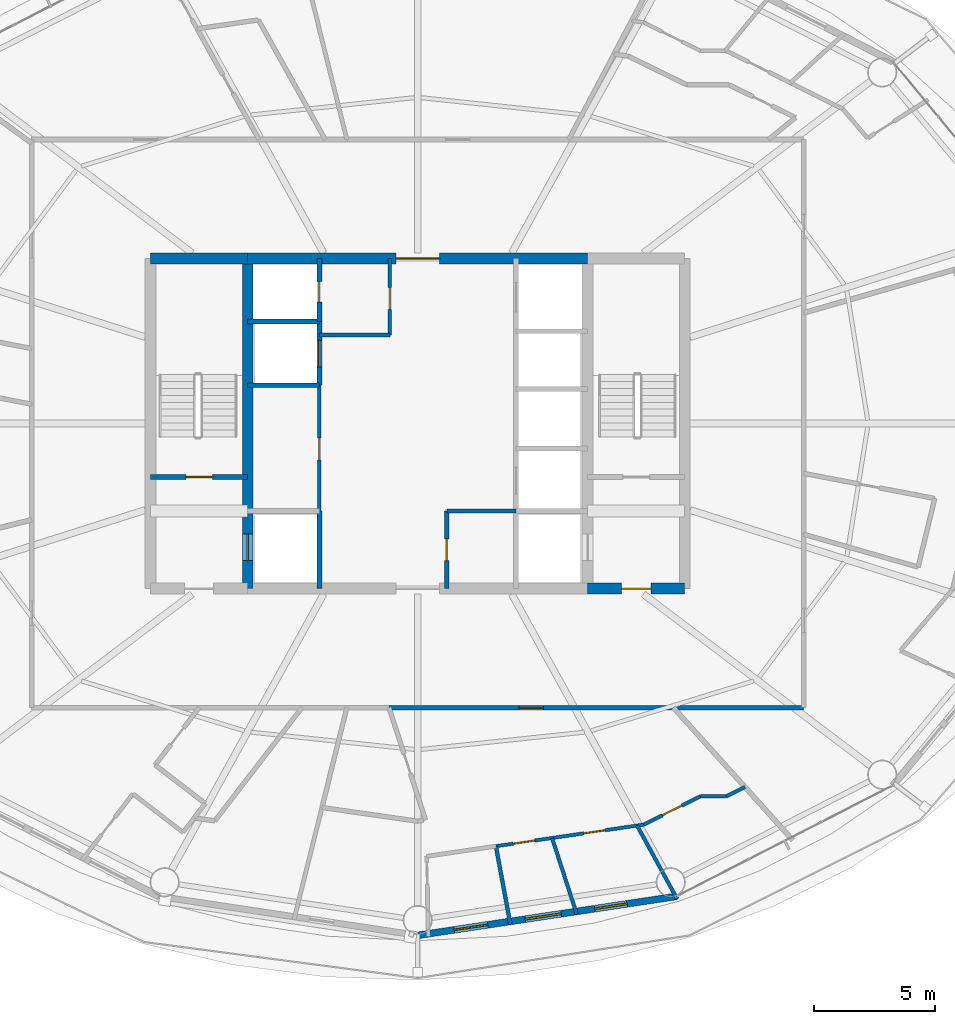
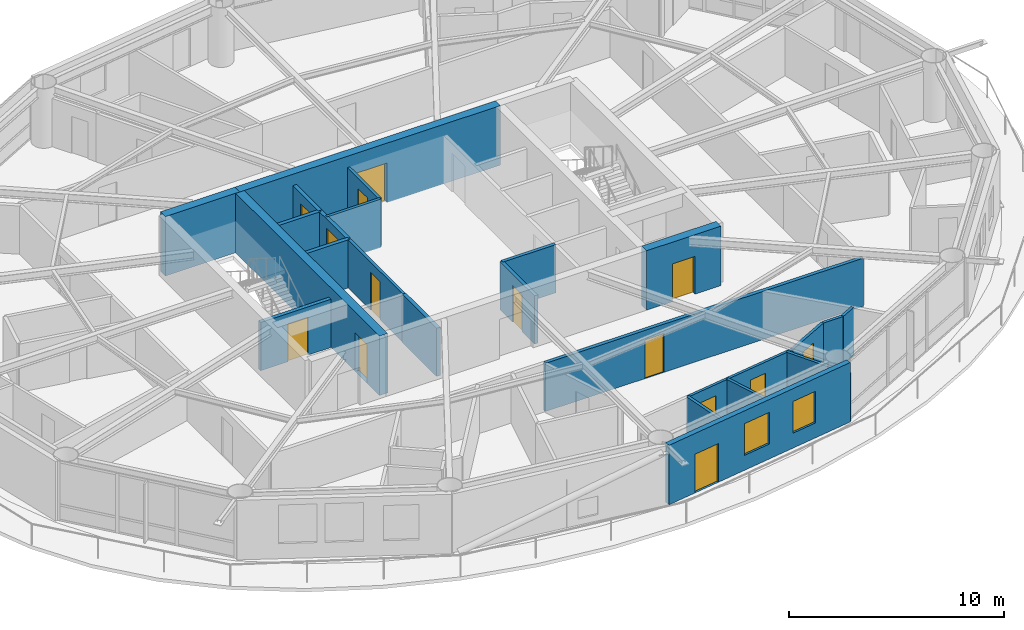
# One storey, part 22 of 28: 24 walls, 14 doors, 2 windows, 16 openings.
"""IFC4 building model written with IfcOpenShell, lengths in metres."""

from ifc_helpers import new_model, si_unit, direction, frame, frame_2d, origin, place, context, subcontext, project, spatial, rectangle, extrude, material, layer, layer_set, type_object, element, fill, save


model = new_model("IFC4")

# Units and contexts
model_context = context("Model", 3, precision=1e-05, world=origin(), true_north=direction((0.0, 1.0)))
body_context = subcontext(model_context, "Body", "Model", "MODEL_VIEW")
ifc_project = project(units=[si_unit("LENGTHUNIT", "METRE"), si_unit("AREAUNIT", "SQUARE_METRE"), si_unit("VOLUMEUNIT", "CUBIC_METRE"), si_unit("PLANEANGLEUNIT", "RADIAN"), si_unit("MASSUNIT", "GRAM", prefix="KILO")], contexts=[model_context])

# Site, building, storey
site_placement = place(None, origin())
site = spatial("IfcSite", under=ifc_project, at=site_placement, CompositionType="ELEMENT")
building_placement = place(site_placement, origin())
building = spatial("IfcBuilding", under=site, at=building_placement, Name="Sarneth Arch Tower", CompositionType="ELEMENT")
storey_placement = place(building_placement, frame((0.0, 0.0, 183.0)))
storey = spatial("IfcBuildingStorey", under=building, at=storey_placement, Name="L46", CompositionType="ELEMENT", Elevation=183.0)

# Wall, opening, door
ifc_material_1 = material(Name="Concrete C50/60", Category="concrete")
ifc_layer_1 = layer(ifc_material_1, 0.449951171875)
ifc_layer_set_1 = layer_set([ifc_layer_1], Name="Concrete C50/60")
wall_type_1 = type_object("IfcWallType", Name="WALL-CORE-450", PredefinedType="SHEAR", material=ifc_layer_set_1)
wall_1_placement = place(storey_placement, frame((55.0, 35.199951171875, 0.0), z_axis=(0.0, 0.0, 1.0), x_axis=(1.0, 0.0, 0.0)))
wall_1 = element("IfcWall", 1, at=wall_1_placement, inside=storey, type_object=wall_type_1, Name="L46 Core shear wall S-E", PredefinedType="SHEAR", context=body_context, shape_type="SweptSolid", body=[
    extrude(rectangle(XDim=4.0, YDim=0.449951171875, at=frame_2d((2.0, 0.0))), origin(), (0.0, 0.0, 1.0), 3.3798828125),
])
opening_1_placement = place(wall_1_placement, frame((1.39990234375, 0.0, 0.0)))
opening_1 = element("IfcOpeningElement", 2, at=opening_1_placement, cuts=wall_1, Name="Opening FD-02", PredefinedType="OPENING", context=body_context, shape_type="SweptSolid", body=[
    extrude(rectangle(XDim=1.199951171875, YDim=2.14990234375, at=frame_2d((0.60009765625, 1.074951171875))), frame((0.0, 0.23486328125, 0.0), z_axis=(0.0, -1.0, 0.0), x_axis=(1.0, 0.0, 0.0)), (0.0, 0.0, 1.0), 0.469970703125),
])
ifc_material_2 = material(Name="Galvanised Steel S275 fire door set", Category="steel")
door_type_1 = type_object("IfcDoorType", Name="DR-FD90-1200", OperationType="SINGLE_SWING_LEFT", PredefinedType="DOOR", material=ifc_material_2)
door_1_placement = place(opening_1_placement, origin())
door_1 = element("IfcDoor", 3, at=door_1_placement, inside=storey, type_object=door_type_1, Name="L46 Firefighting lobby 2 exit door", OperationType="SINGLE_SWING_RIGHT", OverallHeight=2.14990234375, OverallWidth=1.199951171875, PredefinedType="DOOR", context=body_context, shape_type="SweptSolid", body=[
    extrude(rectangle(XDim=1.199951171875, YDim=2.14990234375, at=frame_2d((0.60009765625, 1.074951171875))), frame((0.0, 0.02490234375, 0.0), z_axis=(0.0, -1.0, 0.0), x_axis=(1.0, 0.0, 0.0)), (0.0, 0.0, 1.0), 0.050048828125),
])
fill(opening_1, door_1)

# Wall
wall_2_placement = place(storey_placement, frame((37.0, 48.800048828125, 0.0), z_axis=(0.0, 0.0, 1.0), x_axis=(1.0, 0.0, 0.0)))
element("IfcWall", 4, at=wall_2_placement, inside=storey, type_object=wall_type_1, Name="L46 Core shear wall N-W", PredefinedType="SHEAR", context=body_context, shape_type="SweptSolid", body=[
    extrude(rectangle(XDim=4.0, YDim=0.449951171875, at=frame_2d((2.0, 0.0))), origin(), (0.0, 0.0, 1.0), 3.3798828125),
])

# Wall, opening, door
wall_3_placement = place(storey_placement, frame((41.0, 48.800048828125, 0.0), z_axis=(0.0, 0.0, 1.0), x_axis=(1.0, 0.0, 0.0)))
wall_3 = element("IfcWall", 5, at=wall_3_placement, inside=storey, type_object=wall_type_1, Name="L46 Core shear wall N-M", PredefinedType="SHEAR", context=body_context, shape_type="SweptSolid", body=[
    extrude(rectangle(XDim=14.0, YDim=0.449951171875, at=frame_2d((7.0, 0.0))), origin(), (0.0, 0.0, 1.0), 3.3798828125),
])
opening_2_placement = place(wall_3_placement, frame((6.10009765625, 0.0, 0.0)))
opening_2 = element("IfcOpeningElement", 6, at=opening_2_placement, cuts=wall_3, Name="Opening FD-01", PredefinedType="OPENING", context=body_context, shape_type="SweptSolid", body=[
    extrude(rectangle(XDim=1.800048828125, YDim=2.25, at=frame_2d((0.89990234375, 1.125))), frame((0.0, 0.23486328125, 0.0), z_axis=(0.0, -1.0, 0.0), x_axis=(1.0, 0.0, 0.0)), (0.0, 0.0, 1.0), 0.469970703125),
])
ifc_material_3 = material(Name="Galvanised Steel S275 fire door set", Category="steel")
door_type_2 = type_object("IfcDoorType", Name="DR-FD90-1800", OperationType="DOUBLE_DOOR_SINGLE_SWING", PredefinedType="DOOR", material=ifc_material_3)
door_2_placement = place(opening_2_placement, origin())
door_2 = element("IfcDoor", 7, at=door_2_placement, inside=storey, type_object=door_type_2, Name="L46 Central lift lobby north door", OperationType="DOUBLE_DOOR_SINGLE_SWING", OverallHeight=2.25, OverallWidth=1.800048828125, PredefinedType="DOOR", context=body_context, shape_type="SweptSolid", body=[
    extrude(rectangle(XDim=1.800048828125, YDim=2.25, at=frame_2d((0.89990234375, 1.125))), frame((0.0, 0.02490234375, 0.0), z_axis=(0.0, -1.0, 0.0), x_axis=(1.0, 0.0, 0.0)), (0.0, 0.0, 1.0), 0.050048828125),
])
fill(opening_2, door_2)

wall_4_placement = place(storey_placement, frame((41.0, 35.199951171875, 0.0), z_axis=(0.0, 0.0, 1.0), x_axis=(0.0, 1.0, 0.0)))
wall_4 = element("IfcWall", 8, at=wall_4_placement, inside=storey, type_object=wall_type_1, Name="L46 Core shear wall WEB-W", PredefinedType="SHEAR", context=body_context, shape_type="SweptSolid", body=[
    extrude(rectangle(XDim=13.60009765625, YDim=0.449951171875, at=frame_2d((6.800048828125, 0.0))), origin(), (0.0, 0.0, 1.0), 3.3798828125),
])
opening_3_placement = place(wall_4_placement, frame((1.14990234375, 0.0, 0.0)))
opening_3 = element("IfcOpeningElement", 9, at=opening_3_placement, cuts=wall_4, Name="Opening LD-1", PredefinedType="OPENING", context=body_context, shape_type="SweptSolid", body=[
    extrude(rectangle(XDim=1.10009765625, YDim=2.199951171875, at=frame_2d((0.550048828125, 1.10009765625))), frame((0.0, 0.23486328125, 0.0), z_axis=(0.0, -1.0, 0.0), x_axis=(1.0, 0.0, 0.0)), (0.0, 0.0, 1.0), 0.469970703125),
])
ifc_material_4 = material(Name="Brushed Stainless Steel 304 lift landing door", Category="steel")
door_type_3 = type_object("IfcDoorType", Name="DR-LIFT-SLIDE-1100", OperationType="SLIDING_TO_LEFT", PredefinedType="DOOR", material=ifc_material_4)
door_3_placement = place(opening_3_placement, origin())
door_3 = element("IfcDoor", 10, at=door_3_placement, inside=storey, type_object=door_type_3, Name="L46 Firefighting lift landing door FL-1", OperationType="SLIDING_TO_LEFT", OverallHeight=2.199951171875, OverallWidth=1.10009765625, PredefinedType="DOOR", context=body_context, shape_type="SweptSolid", body=[
    extrude(rectangle(XDim=1.10009765625, YDim=2.199951171875, at=frame_2d((0.550048828125, 1.10009765625))), frame((0.0, 0.02490234375, 0.0), z_axis=(0.0, -1.0, 0.0), x_axis=(1.0, 0.0, 0.0)), (0.0, 0.0, 1.0), 0.050048828125),
])
fill(opening_3, door_3)

ifc_material_5 = material(Name="Double steel-stud corridor fire wall", Category="steel")
ifc_layer_2 = layer(ifc_material_5, 0.18994140625)
ifc_layer_set_2 = layer_set([ifc_layer_2], Name="Double steel-stud corridor fire wall")
wall_type_2 = type_object("IfcWallType", Name="WALL-CORR-190", PredefinedType="PARTITIONING", material=ifc_layer_set_2)
wall_5_placement = place(storey_placement, frame((46.817626953125, 30.300048828125, 0.0), z_axis=(0.0, 0.0, 1.0), x_axis=(1.0, 0.0, 0.0)))
wall_5 = element("IfcWall", 11, at=wall_5_placement, inside=storey, type_object=wall_type_2, Name="L46 Interior partition W-L46-TP-016", PredefinedType="PARTITIONING", context=body_context, shape_type="SweptSolid", body=[
    extrude(rectangle(XDim=17.082275390625, YDim=0.18994140625, at=frame_2d((8.541015625, 0.0))), origin(), (0.0, 0.0, 1.0), 2.739990234375),
])
opening_4_placement = place(wall_5_placement, frame((5.3583984375, 0.0, 0.0)))
opening_4 = element("IfcOpeningElement", 12, at=opening_4_placement, cuts=wall_5, Name="Opening FD-08", PredefinedType="OPENING", context=body_context, shape_type="SweptSolid", body=[
    extrude(rectangle(XDim=1.0, YDim=2.199951171875, at=frame_2d((0.5, 1.10009765625))), frame((0.0, 0.10498046875, 0.0), z_axis=(0.0, -1.0, 0.0), x_axis=(1.0, 0.0, 0.0)), (0.0, 0.0, 1.0), 0.2099609375),
])
ifc_material_6 = material(Name="Hardwood timber acoustic fire door", Category="wood")
door_type_4 = type_object("IfcDoorType", Name="DR-FD60-1000", OperationType="SINGLE_SWING_LEFT", PredefinedType="DOOR", material=ifc_material_6)
door_4_placement = place(opening_4_placement, origin())
door_4 = element("IfcDoor", 13, at=door_4_placement, inside=storey, type_object=door_type_4, Name="L46 Interior door DR-L46-U6-ENT", OperationType="SINGLE_SWING_RIGHT", OverallHeight=2.199951171875, OverallWidth=1.0, PredefinedType="DOOR", context=body_context, shape_type="SweptSolid", body=[
    extrude(rectangle(XDim=1.0, YDim=2.199951171875, at=frame_2d((0.5, 1.10009765625))), frame((0.0, 0.02490234375, 0.0), z_axis=(0.0, -1.0, 0.0), x_axis=(1.0, 0.0, 0.0)), (0.0, 0.0, 1.0), 0.050048828125),
])
fill(opening_4, door_4)

# Wall, openings, door, windows
ifc_material_7 = material(Name="Extruded terracotta rainscreen on Concrete C40/50 backing", Category="masonry")
ifc_layer_3 = layer(ifc_material_7, 0.280029296875)
ifc_layer_set_3 = layer_set([ifc_layer_3], Name="Extruded terracotta rainscreen on Concrete C40/50 backing")
wall_type_3 = type_object("IfcWallType", Name="WALL-EXT-TERRA-280", PredefinedType="SOLIDWALL", material=ifc_layer_set_3)
wall_6_placement = place(storey_placement, frame((48.0, 20.919921875, 0.0), z_axis=(0.0, 0.0, 1.0), x_axis=(0.988863993413, 0.148822049884, 0.0)))
wall_6 = element("IfcWall", 14, at=wall_6_placement, inside=storey, type_object=wall_type_3, Name="L46 Terracotta perimeter wall 13", PredefinedType="SOLIDWALL", context=body_context, shape_type="SweptSolid", body=[
    extrude(rectangle(XDim=10.782958984375, YDim=0.280029296875, at=frame_2d((5.3916015625, 0.0))), origin(), (0.0, 0.0, 1.0), 3.3798828125),
])
opening_5_placement = place(wall_6_placement, frame((1.523681640625, 0.0, 0.0)))
opening_5 = element("IfcOpeningElement", 15, at=opening_5_placement, cuts=wall_6, Name="Opening BD-2", PredefinedType="OPENING", context=body_context, shape_type="SweptSolid", body=[
    extrude(rectangle(XDim=1.39990234375, YDim=2.199951171875, at=frame_2d((0.699951171875, 1.10009765625))), frame((0.0, 0.14990234375, 0.0), z_axis=(0.0, -1.0, 0.0), x_axis=(1.0, 0.0, 0.0)), (0.0, 0.0, 1.0), 0.300048828125),
])
opening_6_placement = place(wall_6_placement, frame((4.476806640625, 0.0, 0.85009765625)))
opening_6 = element("IfcOpeningElement", 16, at=opening_6_placement, cuts=wall_6, Name="Opening W-07", PredefinedType="OPENING", context=body_context, shape_type="SweptSolid", body=[
    extrude(rectangle(XDim=1.5, YDim=1.800048828125, at=frame_2d((0.75, 0.89990234375))), frame((0.0, 0.14990234375, 0.0), z_axis=(0.0, -1.0, 0.0), x_axis=(1.0, 0.0, 0.0)), (0.0, 0.0, 1.0), 0.300048828125),
])
opening_7_placement = place(wall_6_placement, frame((7.37109375, 0.0, 0.85009765625)))
opening_7 = element("IfcOpeningElement", 17, at=opening_7_placement, cuts=wall_6, Name="Opening W-08", PredefinedType="OPENING", context=body_context, shape_type="SweptSolid", body=[
    extrude(rectangle(XDim=1.35009765625, YDim=1.800048828125, at=frame_2d((0.675048828125, 0.89990234375))), frame((0.0, 0.14990234375, 0.0), z_axis=(0.0, -1.0, 0.0), x_axis=(1.0, 0.0, 0.0)), (0.0, 0.0, 1.0), 0.300048828125),
])
ifc_material_8 = material(Name="Thermally broken Aluminium 6063-T6 and laminated safety glass", Category="aluminium")
door_type_5 = type_object("IfcDoorType", Name="DR-BALC-GLZ-1400", OperationType="SINGLE_SWING_LEFT", PredefinedType="DOOR", material=ifc_material_8)
door_5_placement = place(opening_5_placement, origin())
door_5 = element("IfcDoor", 18, at=door_5_placement, inside=storey, type_object=door_type_5, Name="L46 Balcony glazed door 13", OperationType="SINGLE_SWING_LEFT", OverallHeight=2.199951171875, OverallWidth=1.39990234375, PredefinedType="DOOR", context=body_context, shape_type="SweptSolid", body=[
    extrude(rectangle(XDim=1.39990234375, YDim=2.199951171875, at=frame_2d((0.699951171875, 1.10009765625))), frame((0.0, 0.02490234375, 0.0), z_axis=(0.0, -1.0, 0.0), x_axis=(1.0, 0.0, 0.0)), (0.0, 0.0, 1.0), 0.050048828125),
])
fill(opening_5, door_5)
ifc_material_9 = material(Name="Thermally broken Aluminium 6063-T6 and low-e laminated IGU", Category="aluminium")
window_type_1 = type_object("IfcWindowType", Name="WIN-TWR-1350x1800", PartitioningType="SINGLE_PANEL", PredefinedType="WINDOW", material=ifc_material_9)
window_1_placement = place(opening_7_placement, origin())
window_1 = element("IfcWindow", 19, at=window_1_placement, inside=storey, type_object=window_type_1, Name="L46 Exterior window 13B", OverallHeight=1.800048828125, OverallWidth=1.35009765625, PartitioningType="SINGLE_PANEL", PredefinedType="WINDOW", context=body_context, shape_type="SweptSolid", body=[
    extrude(rectangle(XDim=1.35009765625, YDim=1.800048828125, at=frame_2d((0.675048828125, 0.89990234375))), frame((0.0, 0.030029296875, 0.0), z_axis=(0.0, -1.0, 0.0), x_axis=(1.0, 0.0, 0.0)), (0.0, 0.0, 1.0), 0.06005859375),
])
fill(opening_7, window_1)
ifc_material_10 = material(Name="Thermally broken Aluminium 6063-T6 and low-e laminated IGU", Category="aluminium")
window_type_2 = type_object("IfcWindowType", Name="WIN-TWR-1500x1800", PartitioningType="SINGLE_PANEL", PredefinedType="WINDOW", material=ifc_material_10)
window_2_placement = place(opening_6_placement, origin())
window_2 = element("IfcWindow", 20, at=window_2_placement, inside=storey, type_object=window_type_2, Name="L46 Exterior window 13A", OverallHeight=1.800048828125, OverallWidth=1.5, PartitioningType="SINGLE_PANEL", PredefinedType="WINDOW", context=body_context, shape_type="SweptSolid", body=[
    extrude(rectangle(XDim=1.5, YDim=1.800048828125, at=frame_2d((0.75, 0.89990234375))), frame((0.0, 0.030029296875, 0.0), z_axis=(0.0, -1.0, 0.0), x_axis=(1.0, 0.0, 0.0)), (0.0, 0.0, 1.0), 0.06005859375),
])
fill(opening_6, window_2)

# Wall, openings, doors
ifc_material_11 = material(Name="Apartment internal stud partition", Category="gypsum")
ifc_layer_4 = layer(ifc_material_11, 0.139892578125)
ifc_layer_set_4 = layer_set([ifc_layer_4], Name="Apartment internal stud partition")
wall_type_4 = type_object("IfcWallType", Name="WALL-PART-140", PredefinedType="PARTITIONING", material=ifc_layer_set_4)
wall_7_placement = place(storey_placement, frame((57.30517578125, 25.48095703125, 0.0), z_axis=(0.0, 0.0, 1.0), x_axis=(-0.989473827462, -0.1447119372, 0.0)))
wall_7 = element("IfcWall", 21, at=wall_7_placement, inside=storey, type_object=wall_type_4, Name="L46 Interior partition W-L46-TP-078", PredefinedType="PARTITIONING", context=body_context, shape_type="SweptSolid", body=[
    extrude(rectangle(XDim=6.147705078125, YDim=0.139892578125, at=frame_2d((3.07373046875, 0.0))), origin(), (0.0, 0.0, 1.0), 2.739990234375),
])
opening_8_placement = place(wall_7_placement, frame((1.589599609375, 0.0, 0.0)))
opening_8 = element("IfcOpeningElement", 22, at=opening_8_placement, cuts=wall_7, Name="Opening ID-01", PredefinedType="OPENING", context=body_context, shape_type="SweptSolid", body=[
    extrude(rectangle(XDim=0.89990234375, YDim=2.10009765625, at=frame_2d((0.449951171875, 1.050048828125))), frame((0.0, 0.079833984375, 0.0), z_axis=(0.0, -1.0, 0.0), x_axis=(1.0, 0.0, 0.0)), (0.0, 0.0, 1.0), 0.159912109375),
])
opening_9_placement = place(wall_7_placement, frame((4.528564453125, 0.0, 0.0)))
opening_9 = element("IfcOpeningElement", 23, at=opening_9_placement, cuts=wall_7, Name="Opening ID-01", PredefinedType="OPENING", context=body_context, shape_type="SweptSolid", body=[
    extrude(rectangle(XDim=0.89990234375, YDim=2.10009765625, at=frame_2d((0.449951171875, 1.050048828125))), frame((0.0, 0.079833984375, 0.0), z_axis=(0.0, -1.0, 0.0), x_axis=(1.0, 0.0, 0.0)), (0.0, 0.0, 1.0), 0.159912109375),
])
ifc_material_12 = material(Name="Engineered hardwood flush door", Category="wood")
door_type_6 = type_object("IfcDoorType", Name="DR-INT-900", OperationType="SINGLE_SWING_LEFT", PredefinedType="DOOR", material=ifc_material_12)
door_6_placement = place(opening_8_placement, origin())
door_6 = element("IfcDoor", 24, at=door_6_placement, inside=storey, type_object=door_type_6, Name="L46 Interior door DR-L46-U6-BED2", OperationType="SINGLE_SWING_RIGHT", OverallHeight=2.10009765625, OverallWidth=0.89990234375, PredefinedType="DOOR", context=body_context, shape_type="SweptSolid", body=[
    extrude(rectangle(XDim=0.89990234375, YDim=2.10009765625, at=frame_2d((0.449951171875, 1.050048828125))), frame((0.0, 0.02490234375, 0.0), z_axis=(0.0, -1.0, 0.0), x_axis=(1.0, 0.0, 0.0)), (0.0, 0.0, 1.0), 0.050048828125),
])
fill(opening_8, door_6)
door_7_placement = place(opening_9_placement, origin())
door_7 = element("IfcDoor", 25, at=door_7_placement, inside=storey, type_object=door_type_6, Name="L46 Interior door DR-L46-U6-BED1", OperationType="SINGLE_SWING_LEFT", OverallHeight=2.10009765625, OverallWidth=0.89990234375, PredefinedType="DOOR", context=body_context, shape_type="SweptSolid", body=[
    extrude(rectangle(XDim=0.89990234375, YDim=2.10009765625, at=frame_2d((0.449951171875, 1.050048828125))), frame((0.0, 0.02490234375, 0.0), z_axis=(0.0, -1.0, 0.0), x_axis=(1.0, 0.0, 0.0)), (0.0, 0.0, 1.0), 0.050048828125),
])
fill(opening_9, door_7)

# Wall, opening, door
ifc_material_13 = material(Name="Acoustic gypsum stud partition", Category="gypsum")
ifc_layer_5 = layer(ifc_material_13, 0.14990234375)
ifc_layer_set_5 = layer_set([ifc_layer_5], Name="Acoustic gypsum stud partition")
wall_type_5 = type_object("IfcWallType", Name="WALL-PART-150", PredefinedType="PARTITIONING", material=ifc_layer_set_5)
wall_8_placement = place(storey_placement, frame((43.949951171875, 38.39990234375, 0.0), z_axis=(0.0, 0.0, 1.0), x_axis=(0.0, 1.0, 0.0)))
wall_8 = element("IfcWall", 26, at=wall_8_placement, inside=storey, type_object=wall_type_5, Name="L46 Interior partition W-L46-RECPL-E", PredefinedType="PARTITIONING", context=body_context, shape_type="SweptSolid", body=[
    extrude(rectangle(XDim=5.18017578125, YDim=0.14990234375, at=frame_2d((2.590087890625, 0.0))), origin(), (0.0, 0.0, 1.0), 2.739990234375),
])
opening_10_placement = place(wall_8_placement, frame((2.10009765625, 0.0, 0.0)))
opening_10 = element("IfcOpeningElement", 27, at=opening_10_placement, cuts=wall_8, Name="Opening FD-10", PredefinedType="OPENING", context=body_context, shape_type="SweptSolid", body=[
    extrude(rectangle(XDim=0.89990234375, YDim=2.14990234375, at=frame_2d((0.449951171875, 1.074951171875))), frame((0.0, 0.0849609375, 0.0), z_axis=(0.0, -1.0, 0.0), x_axis=(1.0, 0.0, 0.0)), (0.0, 0.0, 1.0), 0.169921875),
])
ifc_material_14 = material(Name="Galvanised Steel S275 riser/service fire door", Category="steel")
door_type_7 = type_object("IfcDoorType", Name="DR-FD60-900", OperationType="SINGLE_SWING_LEFT", PredefinedType="DOOR", material=ifc_material_14)
door_8_placement = place(opening_10_placement, origin())
door_8 = element("IfcDoor", 28, at=door_8_placement, inside=storey, type_object=door_type_7, Name="L46 Interior door DR-L46-RECPL1", OperationType="SINGLE_SWING_LEFT", OverallHeight=2.14990234375, OverallWidth=0.89990234375, PredefinedType="DOOR", context=body_context, shape_type="SweptSolid", body=[
    extrude(rectangle(XDim=0.89990234375, YDim=2.14990234375, at=frame_2d((0.449951171875, 1.074951171875))), frame((0.0, 0.02490234375, 0.0), z_axis=(0.0, -1.0, 0.0), x_axis=(1.0, 0.0, 0.0)), (0.0, 0.0, 1.0), 0.050048828125),
])
fill(opening_10, door_8)

# Wall
wall_9_placement = place(storey_placement, frame((43.949951171875, 45.64990234375, 0.0), z_axis=(0.0, 0.0, 1.0), x_axis=(1.0, 0.0, 0.0)))
element("IfcWall", 29, at=wall_9_placement, inside=storey, type_object=wall_type_5, Name="L46 Interior partition W-L46-CSUP1-S", PredefinedType="PARTITIONING", context=body_context, shape_type="SweptSolid", body=[
    extrude(rectangle(XDim=2.900146484375, YDim=0.14990234375, at=frame_2d((1.4501953125, 0.0))), origin(), (0.0, 0.0, 1.0), 2.739990234375),
])

# Wall, opening, door
wall_10_placement = place(storey_placement, frame((46.85009765625, 45.64990234375, 0.0), z_axis=(0.0, 0.0, 1.0), x_axis=(0.0, 1.0, 0.0)))
wall_10 = element("IfcWall", 30, at=wall_10_placement, inside=storey, type_object=wall_type_5, Name="L46 Interior partition W-L46-CSUP1-E", PredefinedType="PARTITIONING", context=body_context, shape_type="SweptSolid", body=[
    extrude(rectangle(XDim=3.150146484375, YDim=0.14990234375, at=frame_2d((1.5751953125, 0.0))), origin(), (0.0, 0.0, 1.0), 2.739990234375),
])
opening_11_placement = place(wall_10_placement, frame((1.050048828125, 0.0, 0.0)))
opening_11 = element("IfcOpeningElement", 31, at=opening_11_placement, cuts=wall_10, Name="Opening FD-10", PredefinedType="OPENING", context=body_context, shape_type="SweptSolid", body=[
    extrude(rectangle(XDim=0.89990234375, YDim=2.14990234375, at=frame_2d((0.449951171875, 1.074951171875))), frame((0.0, 0.0849609375, 0.0), z_axis=(0.0, -1.0, 0.0), x_axis=(1.0, 0.0, 0.0)), (0.0, 0.0, 1.0), 0.169921875),
])
door_9_placement = place(opening_11_placement, origin())
door_9 = element("IfcDoor", 32, at=door_9_placement, inside=storey, type_object=door_type_7, Name="L46 Interior door DR-L46-CSUP1", OperationType="SINGLE_SWING_LEFT", OverallHeight=2.14990234375, OverallWidth=0.89990234375, PredefinedType="DOOR", context=body_context, shape_type="SweptSolid", body=[
    extrude(rectangle(XDim=0.89990234375, YDim=2.14990234375, at=frame_2d((0.449951171875, 1.074951171875))), frame((0.0, 0.02490234375, 0.0), z_axis=(0.0, -1.0, 0.0), x_axis=(1.0, 0.0, 0.0)), (0.0, 0.0, 1.0), 0.050048828125),
])
fill(opening_11, door_9)

# Walls
wall_11_placement = place(storey_placement, frame((57.03662109375, 25.44189453125, 0.0), z_axis=(0.0, 0.0, 1.0), x_axis=(0.479035633035, -0.877795455834, 0.0)))
element("IfcWall", 33, at=wall_11_placement, inside=storey, type_object=wall_type_5, Name="L46 Interior partition W-L46-TP-086", PredefinedType="PARTITIONING", context=body_context, shape_type="SweptSolid", body=[
    extrude(rectangle(XDim=3.44873046875, YDim=0.14990234375, at=frame_2d((1.724365234375, 0.0))), origin(), (0.0, 0.0, 1.0), 2.739990234375),
])
wall_12_placement = place(storey_placement, frame((54.554931640625, 21.786865234375, 0.0), z_axis=(0.0, 0.0, 1.0), x_axis=(-0.308436028498, 0.951245087411, 0.0)))
element("IfcWall", 34, at=wall_12_placement, inside=storey, type_object=wall_type_5, Name="L46 Interior partition W-L46-TP-085", PredefinedType="PARTITIONING", context=body_context, shape_type="SweptSolid", body=[
    extrude(rectangle(XDim=3.303955078125, YDim=0.14990234375, at=frame_2d((1.65185546875, 0.0))), origin(), (0.0, 0.0, 1.0), 2.739990234375),
])

# Wall, opening, door
wall_13_placement = place(storey_placement, frame((57.30517578125, 25.48095703125, 0.0), z_axis=(0.0, 0.0, 1.0), x_axis=(0.895041110332, 0.445983644112, 0.0)))
wall_13 = element("IfcWall", 35, at=wall_13_placement, inside=storey, type_object=wall_type_5, Name="L46 Interior partition W-L46-TP-080", PredefinedType="PARTITIONING", context=body_context, shape_type="SweptSolid", body=[
    extrude(rectangle(XDim=2.62109375, YDim=0.14990234375, at=frame_2d((1.310546875, 0.0))), origin(), (0.0, 0.0, 1.0), 2.739990234375),
])
opening_12_placement = place(wall_13_placement, frame((0.860595703125, 0.0, 0.0)))
opening_12 = element("IfcOpeningElement", 36, at=opening_12_placement, cuts=wall_13, Name="Opening ID-01", PredefinedType="OPENING", context=body_context, shape_type="SweptSolid", body=[
    extrude(rectangle(XDim=0.89990234375, YDim=2.10009765625, at=frame_2d((0.449951171875, 1.050048828125))), frame((0.0, 0.0849609375, 0.0), z_axis=(0.0, -1.0, 0.0), x_axis=(1.0, 0.0, 0.0)), (0.0, 0.0, 1.0), 0.169921875),
])
door_10_placement = place(opening_12_placement, origin())
door_10 = element("IfcDoor", 37, at=door_10_placement, inside=storey, type_object=door_type_6, Name="L46 Interior door DR-L46-U6-BED3", OperationType="SINGLE_SWING_LEFT", OverallHeight=2.10009765625, OverallWidth=0.89990234375, PredefinedType="DOOR", context=body_context, shape_type="SweptSolid", body=[
    extrude(rectangle(XDim=0.89990234375, YDim=2.10009765625, at=frame_2d((0.449951171875, 1.050048828125))), frame((0.0, 0.02490234375, 0.0), z_axis=(0.0, -1.0, 0.0), x_axis=(1.0, 0.0, 0.0)), (0.0, 0.0, 1.0), 0.050048828125),
])
fill(opening_12, door_10)

# Walls
wall_14_placement = place(storey_placement, frame((59.651123046875, 26.64990234375, 0.0), z_axis=(0.0, 0.0, 1.0), x_axis=(1.0, 0.0, 0.0)))
element("IfcWall", 38, at=wall_14_placement, inside=storey, type_object=wall_type_5, Name="L46 Interior partition W-L46-TP-081", PredefinedType="PARTITIONING", context=body_context, shape_type="SweptSolid", body=[
    extrude(rectangle(XDim=1.062255859375, YDim=0.14990234375, at=frame_2d((0.53125, 0.0))), origin(), (0.0, 0.0, 1.0), 2.739990234375),
])
wall_15_placement = place(storey_placement, frame((60.71337890625, 26.64990234375, 0.0), z_axis=(0.0, 0.0, 1.0), x_axis=(0.894826947278, 0.446413188006, 0.0)))
element("IfcWall", 39, at=wall_15_placement, inside=storey, type_object=wall_type_5, Name="L46 Interior partition W-L46-TP-082", PredefinedType="PARTITIONING", context=body_context, shape_type="SweptSolid", body=[
    extrude(rectangle(XDim=0.854248046875, YDim=0.14990234375, at=frame_2d((0.42724609375, 0.0))), origin(), (0.0, 0.0, 1.0), 2.739990234375),
])
ifc_material_15 = material(Name="Kitchen wet service chase wall", Category="gypsum")
ifc_layer_6 = layer(ifc_material_15, 0.159912109375)
ifc_layer_set_6 = layer_set([ifc_layer_6], Name="Kitchen wet service chase wall")
wall_type_6 = type_object("IfcWallType", Name="WALL-PLUMB-160", PredefinedType="PLUMBINGWALL", material=ifc_layer_set_6)
wall_16_placement = place(storey_placement, frame((51.22216796875, 24.59130859375, 0.0), z_axis=(0.0, 0.0, 1.0), x_axis=(0.181950347297, -0.983307719444, 0.0)))
element("IfcWall", 40, at=wall_16_placement, inside=storey, type_object=wall_type_6, Name="L46 Interior partition W-L46-TP-084", PredefinedType="PLUMBINGWALL", context=body_context, shape_type="SweptSolid", body=[
    extrude(rectangle(XDim=3.272705078125, YDim=0.159912109375, at=frame_2d((1.63623046875, 0.0))), origin(), (0.0, 0.0, 1.0), 2.739990234375),
])
ifc_material_16 = material(Name="Moisture-resistant plumbing chase wall", Category="gypsum")
ifc_layer_7 = layer(ifc_material_16, 0.179931640625)
ifc_layer_set_7 = layer_set([ifc_layer_7], Name="Moisture-resistant plumbing chase wall")
wall_type_7 = type_object("IfcWallType", Name="WALL-PLUMB-180", PredefinedType="PLUMBINGWALL", material=ifc_layer_set_7)
wall_17_placement = place(storey_placement, frame((49.199951171875, 38.39990234375, 0.0), z_axis=(0.0, 0.0, 1.0), x_axis=(1.0, 0.0, 0.0)))
element("IfcWall", 41, at=wall_17_placement, inside=storey, type_object=wall_type_7, Name="L46 Interior partition W-L46-AWC-N", PredefinedType="PLUMBINGWALL", context=body_context, shape_type="SweptSolid", body=[
    extrude(rectangle(XDim=2.85009765625, YDim=0.179931640625, at=frame_2d((1.425048828125, 0.0))), origin(), (0.0, 0.0, 1.0), 2.739990234375),
])

# Wall, opening, door
wall_18_placement = place(storey_placement, frame((49.199951171875, 35.199951171875, 0.0), z_axis=(0.0, 0.0, 1.0), x_axis=(0.0, 1.0, 0.0)))
wall_18 = element("IfcWall", 42, at=wall_18_placement, inside=storey, type_object=wall_type_7, Name="L46 Interior partition W-L46-AWC-W", PredefinedType="PLUMBINGWALL", context=body_context, shape_type="SweptSolid", body=[
    extrude(rectangle(XDim=3.199951171875, YDim=0.179931640625, at=frame_2d((1.60009765625, 0.0))), origin(), (0.0, 0.0, 1.0), 2.739990234375),
])
opening_13_placement = place(wall_18_placement, frame((1.14990234375, 0.0, 0.0)))
opening_13 = element("IfcOpeningElement", 43, at=opening_13_placement, cuts=wall_18, Name="Opening ID-01", PredefinedType="OPENING", context=body_context, shape_type="SweptSolid", body=[
    extrude(rectangle(XDim=0.89990234375, YDim=2.10009765625, at=frame_2d((0.449951171875, 1.050048828125))), frame((0.0, 0.099853515625, 0.0), z_axis=(0.0, -1.0, 0.0), x_axis=(1.0, 0.0, 0.0)), (0.0, 0.0, 1.0), 0.199951171875),
])
door_11_placement = place(opening_13_placement, origin())
door_11 = element("IfcDoor", 44, at=door_11_placement, inside=storey, type_object=door_type_6, Name="L46 Interior door DR-L46-AWC", OperationType="SINGLE_SWING_RIGHT", OverallHeight=2.10009765625, OverallWidth=0.89990234375, PredefinedType="DOOR", context=body_context, shape_type="SweptSolid", body=[
    extrude(rectangle(XDim=0.89990234375, YDim=2.10009765625, at=frame_2d((0.449951171875, 1.050048828125))), frame((0.0, 0.02490234375, 0.0), z_axis=(0.0, -1.0, 0.0), x_axis=(1.0, 0.0, 0.0)), (0.0, 0.0, 1.0), 0.050048828125),
])
fill(opening_13, door_11)

ifc_material_17 = material(Name="Aerated concrete blockwork C25/30", Category="masonry")
ifc_layer_8 = layer(ifc_material_17, 0.199951171875)
ifc_layer_set_8 = layer_set([ifc_layer_8], Name="Aerated concrete blockwork C25/30")
wall_type_8 = type_object("IfcWallType", Name="WALL-SHAFT-200", PredefinedType="SOLIDWALL", material=ifc_layer_set_8)
wall_19_placement = place(storey_placement, frame((37.0, 39.800048828125, 0.0), z_axis=(0.0, 0.0, 1.0), x_axis=(1.0, 0.0, 0.0)))
wall_19 = element("IfcWall", 45, at=wall_19_placement, inside=storey, type_object=wall_type_8, Name="L46 Interior partition W-L46-ST1-S", PredefinedType="SOLIDWALL", context=body_context, shape_type="SweptSolid", body=[
    extrude(rectangle(XDim=4.0, YDim=0.199951171875, at=frame_2d((2.0, 0.0))), origin(), (0.0, 0.0, 1.0), 2.739990234375),
])
opening_14_placement = place(wall_19_placement, frame((1.449951171875, 0.0, 0.0)))
opening_14 = element("IfcOpeningElement", 46, at=opening_14_placement, cuts=wall_19, Name="Opening FD-03", PredefinedType="OPENING", context=body_context, shape_type="SweptSolid", body=[
    extrude(rectangle(XDim=1.10009765625, YDim=2.14990234375, at=frame_2d((0.550048828125, 1.074951171875))), frame((0.0, 0.10986328125, 0.0), z_axis=(0.0, -1.0, 0.0), x_axis=(1.0, 0.0, 0.0)), (0.0, 0.0, 1.0), 0.219970703125),
])
ifc_material_18 = material(Name="Galvanised Steel S275 fire door set", Category="steel")
door_type_8 = type_object("IfcDoorType", Name="DR-FD90-1100", OperationType="SINGLE_SWING_LEFT", PredefinedType="DOOR", material=ifc_material_18)
door_12_placement = place(opening_14_placement, origin())
door_12 = element("IfcDoor", 47, at=door_12_placement, inside=storey, type_object=door_type_8, Name="L46 Interior door DR-L46-ST1", OperationType="SINGLE_SWING_LEFT", OverallHeight=2.14990234375, OverallWidth=1.10009765625, PredefinedType="DOOR", context=body_context, shape_type="SweptSolid", body=[
    extrude(rectangle(XDim=1.10009765625, YDim=2.14990234375, at=frame_2d((0.550048828125, 1.074951171875))), frame((0.0, 0.02490234375, 0.0), z_axis=(0.0, -1.0, 0.0), x_axis=(1.0, 0.0, 0.0)), (0.0, 0.0, 1.0), 0.050048828125),
])
fill(opening_14, door_12)

# Walls
wall_20_placement = place(storey_placement, frame((43.949951171875, 35.199951171875, 0.0), z_axis=(0.0, 0.0, 1.0), x_axis=(0.0, 1.0, 0.0)))
element("IfcWall", 48, at=wall_20_placement, inside=storey, type_object=wall_type_8, Name="L46 Interior partition W-L46-FL1-E", PredefinedType="SOLIDWALL", context=body_context, shape_type="SweptSolid", body=[
    extrude(rectangle(XDim=3.199951171875, YDim=0.199951171875, at=frame_2d((1.60009765625, 0.0))), origin(), (0.0, 0.0, 1.0), 2.739990234375),
])
wall_21_placement = place(storey_placement, frame((41.0, 46.199951171875, 0.0), z_axis=(0.0, 0.0, 1.0), x_axis=(1.0, 0.0, 0.0)))
element("IfcWall", 49, at=wall_21_placement, inside=storey, type_object=wall_type_8, Name="L46 Interior partition W-L46-RISER-S", PredefinedType="SOLIDWALL", context=body_context, shape_type="SweptSolid", body=[
    extrude(rectangle(XDim=2.949951171875, YDim=0.199951171875, at=frame_2d((1.47509765625, 0.0))), origin(), (0.0, 0.0, 1.0), 2.739990234375),
])

# Wall, opening, door
wall_22_placement = place(storey_placement, frame((43.949951171875, 46.199951171875, 0.0), z_axis=(0.0, 0.0, 1.0), x_axis=(0.0, 1.0, 0.0)))
wall_22 = element("IfcWall", 50, at=wall_22_placement, inside=storey, type_object=wall_type_8, Name="L46 Interior partition W-L46-RISER-E", PredefinedType="SOLIDWALL", context=body_context, shape_type="SweptSolid", body=[
    extrude(rectangle(XDim=2.60009765625, YDim=0.199951171875, at=frame_2d((1.300048828125, 0.0))), origin(), (0.0, 0.0, 1.0), 2.739990234375),
])
opening_15_placement = place(wall_22_placement, frame((0.800048828125, 0.0, 0.0)))
opening_15 = element("IfcOpeningElement", 51, at=opening_15_placement, cuts=wall_22, Name="Opening FD-11", PredefinedType="OPENING", context=body_context, shape_type="SweptSolid", body=[
    extrude(rectangle(XDim=0.85009765625, YDim=2.14990234375, at=frame_2d((0.425048828125, 1.074951171875))), frame((0.0, 0.10986328125, 0.0), z_axis=(0.0, -1.0, 0.0), x_axis=(1.0, 0.0, 0.0)), (0.0, 0.0, 1.0), 0.219970703125),
])
ifc_material_19 = material(Name="Galvanised Steel S275 closet fire door", Category="steel")
door_type_9 = type_object("IfcDoorType", Name="DR-FD60-850", OperationType="SINGLE_SWING_LEFT", PredefinedType="DOOR", material=ifc_material_19)
door_13_placement = place(opening_15_placement, origin())
door_13 = element("IfcDoor", 52, at=door_13_placement, inside=storey, type_object=door_type_9, Name="L46 Lift landing door DR-L46-RISER", OperationType="SINGLE_SWING_LEFT", OverallHeight=2.14990234375, OverallWidth=0.85009765625, PredefinedType="DOOR", context=body_context, shape_type="SweptSolid", body=[
    extrude(rectangle(XDim=0.85009765625, YDim=2.14990234375, at=frame_2d((0.425048828125, 1.074951171875))), frame((0.0, 0.02490234375, 0.0), z_axis=(0.0, -1.0, 0.0), x_axis=(1.0, 0.0, 0.0)), (0.0, 0.0, 1.0), 0.050048828125),
])
fill(opening_15, door_13)

# Wall
wall_23_placement = place(storey_placement, frame((41.0, 43.580078125, 0.0), z_axis=(0.0, 0.0, 1.0), x_axis=(1.0, 0.0, 0.0)))
element("IfcWall", 53, at=wall_23_placement, inside=storey, type_object=wall_type_8, Name="L46 Interior partition W-L46-PM1-S", PredefinedType="SOLIDWALL", context=body_context, shape_type="SweptSolid", body=[
    extrude(rectangle(XDim=2.949951171875, YDim=0.199951171875, at=frame_2d((1.47509765625, 0.0))), origin(), (0.0, 0.0, 1.0), 2.739990234375),
])

# Wall, opening, door
wall_24_placement = place(storey_placement, frame((43.949951171875, 43.580078125, 0.0), z_axis=(0.0, 0.0, 1.0), x_axis=(0.0, 1.0, 0.0)))
wall_24 = element("IfcWall", 54, at=wall_24_placement, inside=storey, type_object=wall_type_8, Name="L46 Interior partition W-L46-PM1-FRONT", PredefinedType="SOLIDWALL", context=body_context, shape_type="SweptSolid", body=[
    extrude(rectangle(XDim=2.619873046875, YDim=0.199951171875, at=frame_2d((1.31005859375, 0.0))), origin(), (0.0, 0.0, 1.0), 2.739990234375),
])
opening_16_placement = place(wall_24_placement, frame((0.75, 0.0, 0.0)))
opening_16 = element("IfcOpeningElement", 55, at=opening_16_placement, cuts=wall_24, Name="Opening LD-1", PredefinedType="OPENING", context=body_context, shape_type="SweptSolid", body=[
    extrude(rectangle(XDim=1.10009765625, YDim=2.199951171875, at=frame_2d((0.550048828125, 1.10009765625))), frame((0.0, 0.10986328125, 0.0), z_axis=(0.0, -1.0, 0.0), x_axis=(1.0, 0.0, 0.0)), (0.0, 0.0, 1.0), 0.219970703125),
])
door_14_placement = place(opening_16_placement, origin())
door_14 = element("IfcDoor", 56, at=door_14_placement, inside=storey, type_object=door_type_3, Name="L46 Lift landing door DR-L46-LD-PM1", OperationType="SLIDING_TO_LEFT", OverallHeight=2.199951171875, OverallWidth=1.10009765625, PredefinedType="DOOR", context=body_context, shape_type="SweptSolid", body=[
    extrude(rectangle(XDim=1.10009765625, YDim=2.199951171875, at=frame_2d((0.550048828125, 1.10009765625))), frame((0.0, 0.02490234375, 0.0), z_axis=(0.0, -1.0, 0.0), x_axis=(1.0, 0.0, 0.0)), (0.0, 0.0, 1.0), 0.050048828125),
])
fill(opening_16, door_14)

save(model, "model.ifc")
